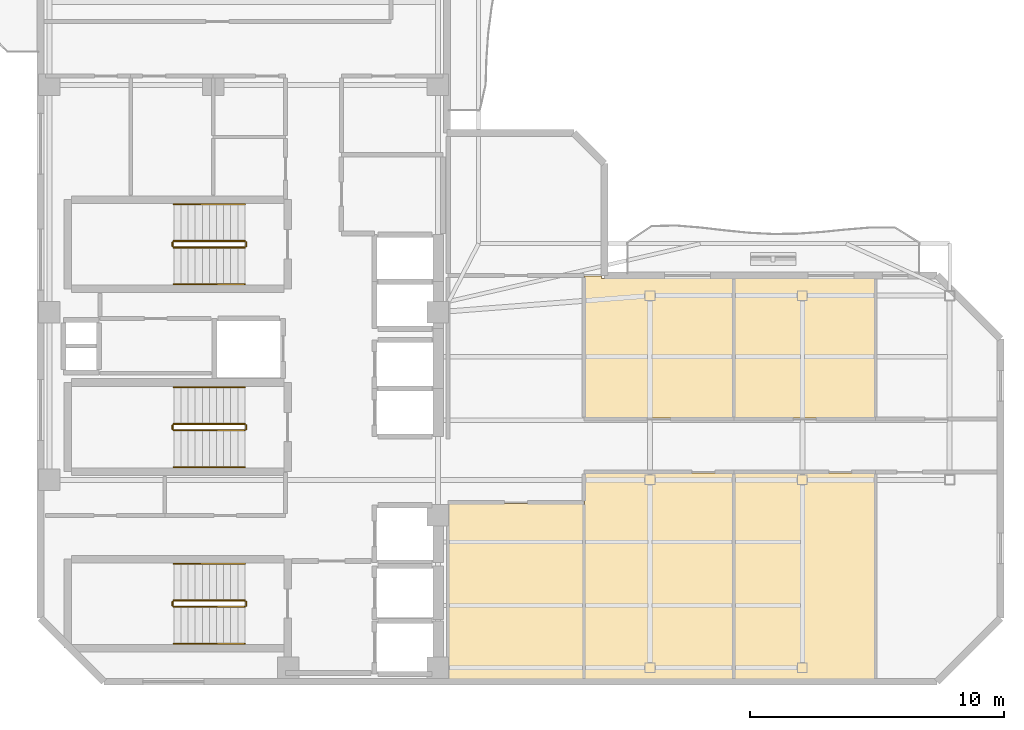
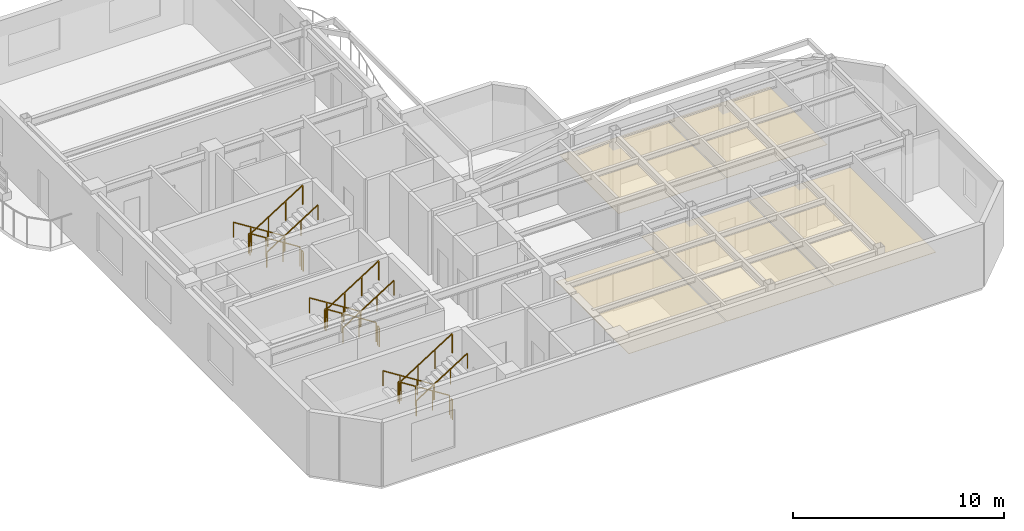
# One storey, part 6 of 7: 18 railings, 5 coverings.
"""IFC4 building model written with IfcOpenShell, lengths in metres."""

from ifc_helpers import new_model, si_unit, direction, frame, origin, origin_2d, place, context, subcontext, project, spatial, polyline, rectangle, outline, extrude, material, layer, layer_set, type_object, element, save


model = new_model("IFC4")

# Units and contexts
model_context = context("Model", 3, precision=1e-05, world=origin(), true_north=direction((0.0, 1.0)))
body_context = subcontext(model_context, "Body", "Model", "MODEL_VIEW")
ifc_project = project(units=[si_unit("LENGTHUNIT", "METRE"), si_unit("AREAUNIT", "SQUARE_METRE"), si_unit("VOLUMEUNIT", "CUBIC_METRE"), si_unit("PLANEANGLEUNIT", "RADIAN"), si_unit("MASSUNIT", "GRAM", prefix="KILO")], contexts=[model_context])

# Site, building, storey
site_placement = place(None, origin())
site = spatial("IfcSite", under=ifc_project, at=site_placement, CompositionType="ELEMENT")
building_placement = place(site_placement, origin())
building = spatial("IfcBuilding", under=site, at=building_placement, Name="Mawjaban Terraces University", CompositionType="ELEMENT")
storey_placement = place(building_placement, frame((0.0, 0.0, 287.199951171875)))
storey = spatial("IfcBuildingStorey", under=building, at=storey_placement, Name="L70", CompositionType="ELEMENT", Elevation=287.199951171875)

# Coverings
ifc_material_1 = material(Name="Acoustic mineral fibre ceiling tile", Category="masonry")
ifc_layer = layer(ifc_material_1, 0.02001953125)
ifc_layer_set = layer_set([ifc_layer], Name="Acoustic mineral fibre ceiling tile")
covering_type = type_object("IfcCoveringType", Name="AcousticMineralCeiling_20", PredefinedType="CEILING", material=ifc_layer_set)
covering_1_placement = place(storey_placement, frame((0.0, 0.0, 2.75)))
element("IfcCovering", 1, at=covering_1_placement, inside=storey, type_object=covering_type, Name="L70 Collaborative Study Room 1 Acoustic Ceiling", PredefinedType="CEILING", context=body_context, shape_type="SweptSolid", body=[
    extrude(outline(polyline([(38.080078125, 7.02001953125), (38.080078125, 0.114990234375), (43.3701171875, 0.114990234375), (43.3701171875, 7.02001953125), (38.080078125, 7.02001953125)])), origin(), (0.0, 0.0, 1.0), 0.02001953125),
])
covering_2_placement = place(storey_placement, frame((0.0, 0.0, 2.75)))
element("IfcCovering", 2, at=covering_2_placement, inside=storey, type_object=covering_type, Name="L70 Graduate Study Lounge 2 Acoustic Ceiling", PredefinedType="CEILING", context=body_context, shape_type="SweptSolid", body=[
    extrude(outline(polyline([(43.429931640625, 0.114990234375), (49.27392578125, 0.114990234375), (49.27392578125, 8.219970703125), (43.429931640625, 8.219970703125), (43.429931640625, 0.114990234375)])), origin(), (0.0, 0.0, 1.0), 0.02001953125),
])
covering_3_placement = place(storey_placement, frame((0.0, 0.0, 2.75)))
element("IfcCovering", 3, at=covering_3_placement, inside=storey, type_object=covering_type, Name="L70 Collaborative Study Room 3 Acoustic Ceiling", PredefinedType="CEILING", context=body_context, shape_type="SweptSolid", body=[
    extrude(outline(polyline([(49.27392578125, 15.885009765625), (44.0849609375, 15.885009765625), (44.0849609375, 15.969970703125), (43.429931640625, 15.969970703125), (43.429931640625, 10.3798828125), (49.27392578125, 10.3798828125), (49.27392578125, 15.885009765625)])), origin(), (0.0, 0.0, 1.0), 0.02001953125),
])
covering_4_placement = place(storey_placement, frame((0.0, 0.0, 2.75)))
element("IfcCovering", 4, at=covering_4_placement, inside=storey, type_object=covering_type, Name="L70 Graduate Study Lounge 4 Acoustic Ceiling", PredefinedType="CEILING", context=body_context, shape_type="SweptSolid", body=[
    extrude(outline(polyline([(49.333984375, 0.114990234375), (54.85009765625, 0.114990234375), (54.85009765625, 8.219970703125), (49.333984375, 8.219970703125), (49.333984375, 0.114990234375)])), origin(), (0.0, 0.0, 1.0), 0.02001953125),
])
covering_5_placement = place(storey_placement, frame((0.0, 0.0, 2.75)))
element("IfcCovering", 5, at=covering_5_placement, inside=storey, type_object=covering_type, Name="L70 Collaborative Study Room 5 Acoustic Ceiling", PredefinedType="CEILING", context=body_context, shape_type="SweptSolid", body=[
    extrude(outline(polyline([(54.85009765625, 15.885009765625), (49.333984375, 15.885009765625), (49.333984375, 10.3798828125), (54.85009765625, 10.3798828125), (54.85009765625, 15.885009765625)])), origin(), (0.0, 0.0, 1.0), 0.02001953125),
])

# Railings
ifc_material_2 = material(Name="Brushed stainless steel 316", Category="steel")
railing_type_1 = type_object("IfcRailingType", Name="StairWallHandrail_900", PredefinedType="HANDRAIL", material=ifc_material_2)
railing_1_placement = place(storey_placement, frame((30.050048828125, 4.64990234375, 0.17724609375)))
element("IfcRailing", 6, at=railing_1_placement, inside=storey, type_object=railing_type_1, Name="L70 ST-1 stair handrail 1", PredefinedType="HANDRAIL", context=body_context, shape_type="SweptSolid", body=[
    extrude(rectangle(XDim=0.048095703125, YDim=0.048095703125, at=origin_2d()), frame((0.0, 0.0, 0.8759765625), z_axis=(-0.844908973607, 0.0, 0.534910110503), x_axis=(0.0, -1.0, 0.0)), (0.0, 0.0, 1.0), 3.31396484375),
    extrude(rectangle(XDim=0.0419921875, YDim=0.0419921875, at=origin_2d()), origin(), (0.0, 0.0, 1.0), 0.851806640625),
    extrude(rectangle(XDim=0.0419921875, YDim=0.0419921875, at=origin_2d()), frame((-0.933349609375, 0.0, 0.5908203125)), (0.0, 0.0, 1.0), 0.851806640625),
    extrude(rectangle(XDim=0.0419921875, YDim=0.0419921875, at=origin_2d()), frame((-1.86669921875, 0.0, 1.181884765625)), (0.0, 0.0, 1.0), 0.851806640625),
    extrude(rectangle(XDim=0.0419921875, YDim=0.0419921875, at=origin_2d()), frame((-2.800048828125, 0.0, 1.772705078125)), (0.0, 0.0, 1.0), 0.851806640625),
])
railing_2_placement = place(storey_placement, frame((27.25, 1.5, 2.12744140625)))
element("IfcRailing", 7, at=railing_2_placement, inside=storey, type_object=railing_type_1, Name="L70 ST-1 stair handrail 2", PredefinedType="HANDRAIL", context=body_context, shape_type="SweptSolid", body=[
    extrude(rectangle(XDim=0.048095703125, YDim=0.048095703125, at=origin_2d()), frame((0.0, 0.0, 0.8759765625), z_axis=(0.844908973607, 0.0, 0.534910110503), x_axis=(0.0, 1.0, 0.0)), (0.0, 0.0, 1.0), 3.31396484375),
    extrude(rectangle(XDim=0.0419921875, YDim=0.0419921875, at=origin_2d()), origin(), (0.0, 0.0, 1.0), 0.851806640625),
    extrude(rectangle(XDim=0.0419921875, YDim=0.0419921875, at=origin_2d()), frame((0.933349609375, 0.0, 0.5908203125)), (0.0, 0.0, 1.0), 0.851806640625),
    extrude(rectangle(XDim=0.0419921875, YDim=0.0419921875, at=origin_2d()), frame((1.86669921875, 0.0, 1.181884765625)), (0.0, 0.0, 1.0), 0.851806640625),
    extrude(rectangle(XDim=0.0419921875, YDim=0.0419921875, at=origin_2d()), frame((2.800048828125, 0.0, 1.772705078125)), (0.0, 0.0, 1.0), 0.851806640625),
])
railing_3_placement = place(storey_placement, frame((30.050048828125, 18.800048828125, 0.17724609375)))
element("IfcRailing", 8, at=railing_3_placement, inside=storey, type_object=railing_type_1, Name="L70 ST-2 stair handrail 1", PredefinedType="HANDRAIL", context=body_context, shape_type="SweptSolid", body=[
    extrude(rectangle(XDim=0.048095703125, YDim=0.048095703125, at=origin_2d()), frame((0.0, 0.0, 0.8759765625), z_axis=(-0.844908973607, 0.0, 0.534910110503), x_axis=(0.0, -1.0, 0.0)), (0.0, 0.0, 1.0), 3.31396484375),
    extrude(rectangle(XDim=0.0419921875, YDim=0.0419921875, at=origin_2d()), origin(), (0.0, 0.0, 1.0), 0.851806640625),
    extrude(rectangle(XDim=0.0419921875, YDim=0.0419921875, at=origin_2d()), frame((-0.933349609375, 0.0, 0.5908203125)), (0.0, 0.0, 1.0), 0.851806640625),
    extrude(rectangle(XDim=0.0419921875, YDim=0.0419921875, at=origin_2d()), frame((-1.86669921875, 0.0, 1.181884765625)), (0.0, 0.0, 1.0), 0.851806640625),
    extrude(rectangle(XDim=0.0419921875, YDim=0.0419921875, at=origin_2d()), frame((-2.800048828125, 0.0, 1.772705078125)), (0.0, 0.0, 1.0), 0.851806640625),
])
railing_4_placement = place(storey_placement, frame((27.25, 15.64990234375, 2.12744140625)))
element("IfcRailing", 9, at=railing_4_placement, inside=storey, type_object=railing_type_1, Name="L70 ST-2 stair handrail 2", PredefinedType="HANDRAIL", context=body_context, shape_type="SweptSolid", body=[
    extrude(rectangle(XDim=0.048095703125, YDim=0.048095703125, at=origin_2d()), frame((0.0, 0.0, 0.8759765625), z_axis=(0.844908973607, 0.0, 0.534910110503), x_axis=(0.0, 1.0, 0.0)), (0.0, 0.0, 1.0), 3.31396484375),
    extrude(rectangle(XDim=0.0419921875, YDim=0.0419921875, at=origin_2d()), origin(), (0.0, 0.0, 1.0), 0.851806640625),
    extrude(rectangle(XDim=0.0419921875, YDim=0.0419921875, at=origin_2d()), frame((0.933349609375, 0.0, 0.5908203125)), (0.0, 0.0, 1.0), 0.851806640625),
    extrude(rectangle(XDim=0.0419921875, YDim=0.0419921875, at=origin_2d()), frame((1.86669921875, 0.0, 1.181884765625)), (0.0, 0.0, 1.0), 0.851806640625),
    extrude(rectangle(XDim=0.0419921875, YDim=0.0419921875, at=origin_2d()), frame((2.800048828125, 0.0, 1.772705078125)), (0.0, 0.0, 1.0), 0.851806640625),
])
railing_5_placement = place(storey_placement, frame((30.050048828125, 11.60009765625, 0.17724609375)))
element("IfcRailing", 10, at=railing_5_placement, inside=storey, type_object=railing_type_1, Name="L70 ST-3 stair handrail 1", PredefinedType="HANDRAIL", context=body_context, shape_type="SweptSolid", body=[
    extrude(rectangle(XDim=0.048095703125, YDim=0.048095703125, at=origin_2d()), frame((0.0, 0.0, 0.8759765625), z_axis=(-0.844908973607, 0.0, 0.534910110503), x_axis=(0.0, -1.0, 0.0)), (0.0, 0.0, 1.0), 3.31396484375),
    extrude(rectangle(XDim=0.0419921875, YDim=0.0419921875, at=origin_2d()), origin(), (0.0, 0.0, 1.0), 0.851806640625),
    extrude(rectangle(XDim=0.0419921875, YDim=0.0419921875, at=origin_2d()), frame((-0.933349609375, 0.0, 0.5908203125)), (0.0, 0.0, 1.0), 0.851806640625),
    extrude(rectangle(XDim=0.0419921875, YDim=0.0419921875, at=origin_2d()), frame((-1.86669921875, 0.0, 1.181884765625)), (0.0, 0.0, 1.0), 0.851806640625),
    extrude(rectangle(XDim=0.0419921875, YDim=0.0419921875, at=origin_2d()), frame((-2.800048828125, 0.0, 1.772705078125)), (0.0, 0.0, 1.0), 0.851806640625),
])
railing_6_placement = place(storey_placement, frame((27.25, 8.449951171875, 2.12744140625)))
element("IfcRailing", 11, at=railing_6_placement, inside=storey, type_object=railing_type_1, Name="L70 ST-3 stair handrail 2", PredefinedType="HANDRAIL", context=body_context, shape_type="SweptSolid", body=[
    extrude(rectangle(XDim=0.048095703125, YDim=0.048095703125, at=origin_2d()), frame((0.0, 0.0, 0.8759765625), z_axis=(0.844908973607, 0.0, 0.534910110503), x_axis=(0.0, 1.0, 0.0)), (0.0, 0.0, 1.0), 3.31396484375),
    extrude(rectangle(XDim=0.0419921875, YDim=0.0419921875, at=origin_2d()), origin(), (0.0, 0.0, 1.0), 0.851806640625),
    extrude(rectangle(XDim=0.0419921875, YDim=0.0419921875, at=origin_2d()), frame((0.933349609375, 0.0, 0.5908203125)), (0.0, 0.0, 1.0), 0.851806640625),
    extrude(rectangle(XDim=0.0419921875, YDim=0.0419921875, at=origin_2d()), frame((1.86669921875, 0.0, 1.181884765625)), (0.0, 0.0, 1.0), 0.851806640625),
    extrude(rectangle(XDim=0.0419921875, YDim=0.0419921875, at=origin_2d()), frame((2.800048828125, 0.0, 1.772705078125)), (0.0, 0.0, 1.0), 0.851806640625),
])
ifc_material_3 = material(Name="Galvanised painted steel S355", Category="steel")
railing_type_2 = type_object("IfcRailingType", Name="StairWellGuard_1150", PredefinedType="BALUSTRADE", material=ifc_material_3)
railing_7_placement = place(storey_placement, frame((30.050048828125, 3.199951171875, 0.17724609375)))
element("IfcRailing", 12, at=railing_7_placement, inside=storey, type_object=railing_type_2, Name="L70 ST-1 stair guard 1", PredefinedType="BALUSTRADE", context=body_context, shape_type="SweptSolid", body=[
    extrude(rectangle(XDim=0.048095703125, YDim=0.048095703125, at=origin_2d()), frame((0.0, 0.0, 1.1259765625), z_axis=(-0.844908973607, 0.0, 0.534910110503), x_axis=(0.0, -1.0, 0.0)), (0.0, 0.0, 1.0), 3.31396484375),
    extrude(rectangle(XDim=0.0419921875, YDim=0.0419921875, at=origin_2d()), origin(), (0.0, 0.0, 1.0), 1.101806640625),
    extrude(rectangle(XDim=0.0419921875, YDim=0.0419921875, at=origin_2d()), frame((-0.933349609375, 0.0, 0.5908203125)), (0.0, 0.0, 1.0), 1.101806640625),
    extrude(rectangle(XDim=0.0419921875, YDim=0.0419921875, at=origin_2d()), frame((-1.86669921875, 0.0, 1.181884765625)), (0.0, 0.0, 1.0), 1.101806640625),
    extrude(rectangle(XDim=0.0419921875, YDim=0.0419921875, at=origin_2d()), frame((-2.800048828125, 0.0, 1.772705078125)), (0.0, 0.0, 1.0), 1.101806640625),
])
railing_8_placement = place(storey_placement, frame((27.199951171875, 3.14990234375, 1.949951171875)))
element("IfcRailing", 13, at=railing_8_placement, inside=storey, type_object=railing_type_2, Name="L70 ST-1 stair guard 2", PredefinedType="BALUSTRADE", context=body_context, shape_type="SweptSolid", body=[
    extrude(rectangle(XDim=0.048095703125, YDim=0.048095703125, at=origin_2d()), frame((0.0, 0.0, 1.1259765625), z_axis=(0.0, -1.0, 0.0), x_axis=(1.0, 0.0, 0.0)), (0.0, 0.0, 1.0), 0.14990234375),
    extrude(rectangle(XDim=0.0419921875, YDim=0.0419921875, at=origin_2d()), origin(), (0.0, 0.0, 1.0), 1.101806640625),
    extrude(rectangle(XDim=0.0419921875, YDim=0.0419921875, at=origin_2d()), frame((0.0, -0.14990234375, 0.0)), (0.0, 0.0, 1.0), 1.101806640625),
])
railing_9_placement = place(storey_placement, frame((27.25, 2.949951171875, 2.12744140625)))
element("IfcRailing", 14, at=railing_9_placement, inside=storey, type_object=railing_type_2, Name="L70 ST-1 stair guard 3", PredefinedType="BALUSTRADE", context=body_context, shape_type="SweptSolid", body=[
    extrude(rectangle(XDim=0.048095703125, YDim=0.048095703125, at=origin_2d()), frame((0.0, 0.0, 1.1259765625), z_axis=(0.844908973607, 0.0, 0.534910110503), x_axis=(0.0, 1.0, 0.0)), (0.0, 0.0, 1.0), 3.31396484375),
    extrude(rectangle(XDim=0.0419921875, YDim=0.0419921875, at=origin_2d()), origin(), (0.0, 0.0, 1.0), 1.101806640625),
    extrude(rectangle(XDim=0.0419921875, YDim=0.0419921875, at=origin_2d()), frame((0.933349609375, 0.0, 0.5908203125)), (0.0, 0.0, 1.0), 1.101806640625),
    extrude(rectangle(XDim=0.0419921875, YDim=0.0419921875, at=origin_2d()), frame((1.86669921875, 0.0, 1.181884765625)), (0.0, 0.0, 1.0), 1.101806640625),
    extrude(rectangle(XDim=0.0419921875, YDim=0.0419921875, at=origin_2d()), frame((2.800048828125, 0.0, 1.772705078125)), (0.0, 0.0, 1.0), 1.101806640625),
])
railing_10_placement = place(storey_placement, frame((30.10009765625, 3.14990234375, 0.0)))
element("IfcRailing", 15, at=railing_10_placement, inside=storey, type_object=railing_type_2, Name="L70 ST-1 stair guard 4", PredefinedType="BALUSTRADE", context=body_context, shape_type="SweptSolid", body=[
    extrude(rectangle(XDim=0.048095703125, YDim=0.048095703125, at=origin_2d()), frame((0.0, 0.0, 1.1259765625), z_axis=(0.0, -1.0, 0.0), x_axis=(1.0, 0.0, 0.0)), (0.0, 0.0, 1.0), 0.14990234375),
    extrude(rectangle(XDim=0.0419921875, YDim=0.0419921875, at=origin_2d()), origin(), (0.0, 0.0, 1.0), 1.101806640625),
    extrude(rectangle(XDim=0.0419921875, YDim=0.0419921875, at=origin_2d()), frame((0.0, -0.14990234375, 0.0)), (0.0, 0.0, 1.0), 1.101806640625),
])
railing_11_placement = place(storey_placement, frame((30.050048828125, 17.35009765625, 0.17724609375)))
element("IfcRailing", 16, at=railing_11_placement, inside=storey, type_object=railing_type_2, Name="L70 ST-2 stair guard 1", PredefinedType="BALUSTRADE", context=body_context, shape_type="SweptSolid", body=[
    extrude(rectangle(XDim=0.048095703125, YDim=0.048095703125, at=origin_2d()), frame((0.0, 0.0, 1.1259765625), z_axis=(-0.844908973607, 0.0, 0.534910110503), x_axis=(0.0, -1.0, 0.0)), (0.0, 0.0, 1.0), 3.31396484375),
    extrude(rectangle(XDim=0.0419921875, YDim=0.0419921875, at=origin_2d()), origin(), (0.0, 0.0, 1.0), 1.101806640625),
    extrude(rectangle(XDim=0.0419921875, YDim=0.0419921875, at=origin_2d()), frame((-0.933349609375, 0.0, 0.5908203125)), (0.0, 0.0, 1.0), 1.101806640625),
    extrude(rectangle(XDim=0.0419921875, YDim=0.0419921875, at=origin_2d()), frame((-1.86669921875, 0.0, 1.181884765625)), (0.0, 0.0, 1.0), 1.101806640625),
    extrude(rectangle(XDim=0.0419921875, YDim=0.0419921875, at=origin_2d()), frame((-2.800048828125, 0.0, 1.772705078125)), (0.0, 0.0, 1.0), 1.101806640625),
])
railing_12_placement = place(storey_placement, frame((27.199951171875, 17.300048828125, 1.949951171875)))
element("IfcRailing", 17, at=railing_12_placement, inside=storey, type_object=railing_type_2, Name="L70 ST-2 stair guard 2", PredefinedType="BALUSTRADE", context=body_context, shape_type="SweptSolid", body=[
    extrude(rectangle(XDim=0.048095703125, YDim=0.048095703125, at=origin_2d()), frame((0.0, 0.0, 1.1259765625), z_axis=(0.0, -1.0, 0.0), x_axis=(1.0, 0.0, 0.0)), (0.0, 0.0, 1.0), 0.150146484375),
    extrude(rectangle(XDim=0.0419921875, YDim=0.0419921875, at=origin_2d()), origin(), (0.0, 0.0, 1.0), 1.101806640625),
    extrude(rectangle(XDim=0.0419921875, YDim=0.0419921875, at=origin_2d()), frame((0.0, -0.150146484375, 0.0)), (0.0, 0.0, 1.0), 1.101806640625),
])
railing_13_placement = place(storey_placement, frame((27.25, 17.10009765625, 2.12744140625)))
element("IfcRailing", 18, at=railing_13_placement, inside=storey, type_object=railing_type_2, Name="L70 ST-2 stair guard 3", PredefinedType="BALUSTRADE", context=body_context, shape_type="SweptSolid", body=[
    extrude(rectangle(XDim=0.048095703125, YDim=0.048095703125, at=origin_2d()), frame((0.0, 0.0, 1.1259765625), z_axis=(0.844908973607, 0.0, 0.534910110503), x_axis=(0.0, 1.0, 0.0)), (0.0, 0.0, 1.0), 3.31396484375),
    extrude(rectangle(XDim=0.0419921875, YDim=0.0419921875, at=origin_2d()), origin(), (0.0, 0.0, 1.0), 1.101806640625),
    extrude(rectangle(XDim=0.0419921875, YDim=0.0419921875, at=origin_2d()), frame((0.933349609375, 0.0, 0.5908203125)), (0.0, 0.0, 1.0), 1.101806640625),
    extrude(rectangle(XDim=0.0419921875, YDim=0.0419921875, at=origin_2d()), frame((1.86669921875, 0.0, 1.181884765625)), (0.0, 0.0, 1.0), 1.101806640625),
    extrude(rectangle(XDim=0.0419921875, YDim=0.0419921875, at=origin_2d()), frame((2.800048828125, 0.0, 1.772705078125)), (0.0, 0.0, 1.0), 1.101806640625),
])
railing_14_placement = place(storey_placement, frame((30.10009765625, 17.300048828125, 0.0)))
element("IfcRailing", 19, at=railing_14_placement, inside=storey, type_object=railing_type_2, Name="L70 ST-2 stair guard 4", PredefinedType="BALUSTRADE", context=body_context, shape_type="SweptSolid", body=[
    extrude(rectangle(XDim=0.048095703125, YDim=0.048095703125, at=origin_2d()), frame((0.0, 0.0, 1.1259765625), z_axis=(0.0, -1.0, 0.0), x_axis=(1.0, 0.0, 0.0)), (0.0, 0.0, 1.0), 0.150146484375),
    extrude(rectangle(XDim=0.0419921875, YDim=0.0419921875, at=origin_2d()), origin(), (0.0, 0.0, 1.0), 1.101806640625),
    extrude(rectangle(XDim=0.0419921875, YDim=0.0419921875, at=origin_2d()), frame((0.0, -0.150146484375, 0.0)), (0.0, 0.0, 1.0), 1.101806640625),
])
railing_15_placement = place(storey_placement, frame((30.050048828125, 10.14990234375, 0.17724609375)))
element("IfcRailing", 20, at=railing_15_placement, inside=storey, type_object=railing_type_2, Name="L70 ST-3 stair guard 1", PredefinedType="BALUSTRADE", context=body_context, shape_type="SweptSolid", body=[
    extrude(rectangle(XDim=0.048095703125, YDim=0.048095703125, at=origin_2d()), frame((0.0, 0.0, 1.1259765625), z_axis=(-0.844908973607, 0.0, 0.534910110503), x_axis=(0.0, -1.0, 0.0)), (0.0, 0.0, 1.0), 3.31396484375),
    extrude(rectangle(XDim=0.0419921875, YDim=0.0419921875, at=origin_2d()), origin(), (0.0, 0.0, 1.0), 1.101806640625),
    extrude(rectangle(XDim=0.0419921875, YDim=0.0419921875, at=origin_2d()), frame((-0.933349609375, 0.0, 0.5908203125)), (0.0, 0.0, 1.0), 1.101806640625),
    extrude(rectangle(XDim=0.0419921875, YDim=0.0419921875, at=origin_2d()), frame((-1.86669921875, 0.0, 1.181884765625)), (0.0, 0.0, 1.0), 1.101806640625),
    extrude(rectangle(XDim=0.0419921875, YDim=0.0419921875, at=origin_2d()), frame((-2.800048828125, 0.0, 1.772705078125)), (0.0, 0.0, 1.0), 1.101806640625),
])
railing_16_placement = place(storey_placement, frame((27.199951171875, 10.10009765625, 1.949951171875)))
element("IfcRailing", 21, at=railing_16_placement, inside=storey, type_object=railing_type_2, Name="L70 ST-3 stair guard 2", PredefinedType="BALUSTRADE", context=body_context, shape_type="SweptSolid", body=[
    extrude(rectangle(XDim=0.048095703125, YDim=0.048095703125, at=origin_2d()), frame((0.0, 0.0, 1.1259765625), z_axis=(0.0, -1.0, 0.0), x_axis=(1.0, 0.0, 0.0)), (0.0, 0.0, 1.0), 0.150146484375),
    extrude(rectangle(XDim=0.0419921875, YDim=0.0419921875, at=origin_2d()), origin(), (0.0, 0.0, 1.0), 1.101806640625),
    extrude(rectangle(XDim=0.0419921875, YDim=0.0419921875, at=origin_2d()), frame((0.0, -0.150146484375, 0.0)), (0.0, 0.0, 1.0), 1.101806640625),
])
railing_17_placement = place(storey_placement, frame((27.25, 9.89990234375, 2.12744140625)))
element("IfcRailing", 22, at=railing_17_placement, inside=storey, type_object=railing_type_2, Name="L70 ST-3 stair guard 3", PredefinedType="BALUSTRADE", context=body_context, shape_type="SweptSolid", body=[
    extrude(rectangle(XDim=0.048095703125, YDim=0.048095703125, at=origin_2d()), frame((0.0, 0.0, 1.1259765625), z_axis=(0.844908973607, 0.0, 0.534910110503), x_axis=(0.0, 1.0, 0.0)), (0.0, 0.0, 1.0), 3.31396484375),
    extrude(rectangle(XDim=0.0419921875, YDim=0.0419921875, at=origin_2d()), origin(), (0.0, 0.0, 1.0), 1.101806640625),
    extrude(rectangle(XDim=0.0419921875, YDim=0.0419921875, at=origin_2d()), frame((0.933349609375, 0.0, 0.5908203125)), (0.0, 0.0, 1.0), 1.101806640625),
    extrude(rectangle(XDim=0.0419921875, YDim=0.0419921875, at=origin_2d()), frame((1.86669921875, 0.0, 1.181884765625)), (0.0, 0.0, 1.0), 1.101806640625),
    extrude(rectangle(XDim=0.0419921875, YDim=0.0419921875, at=origin_2d()), frame((2.800048828125, 0.0, 1.772705078125)), (0.0, 0.0, 1.0), 1.101806640625),
])
railing_18_placement = place(storey_placement, frame((30.10009765625, 10.10009765625, 0.0)))
element("IfcRailing", 23, at=railing_18_placement, inside=storey, type_object=railing_type_2, Name="L70 ST-3 stair guard 4", PredefinedType="BALUSTRADE", context=body_context, shape_type="SweptSolid", body=[
    extrude(rectangle(XDim=0.048095703125, YDim=0.048095703125, at=origin_2d()), frame((0.0, 0.0, 1.1259765625), z_axis=(0.0, -1.0, 0.0), x_axis=(1.0, 0.0, 0.0)), (0.0, 0.0, 1.0), 0.150146484375),
    extrude(rectangle(XDim=0.0419921875, YDim=0.0419921875, at=origin_2d()), origin(), (0.0, 0.0, 1.0), 1.101806640625),
    extrude(rectangle(XDim=0.0419921875, YDim=0.0419921875, at=origin_2d()), frame((0.0, -0.150146484375, 0.0)), (0.0, 0.0, 1.0), 1.101806640625),
])

save(model, "model.ifc")
